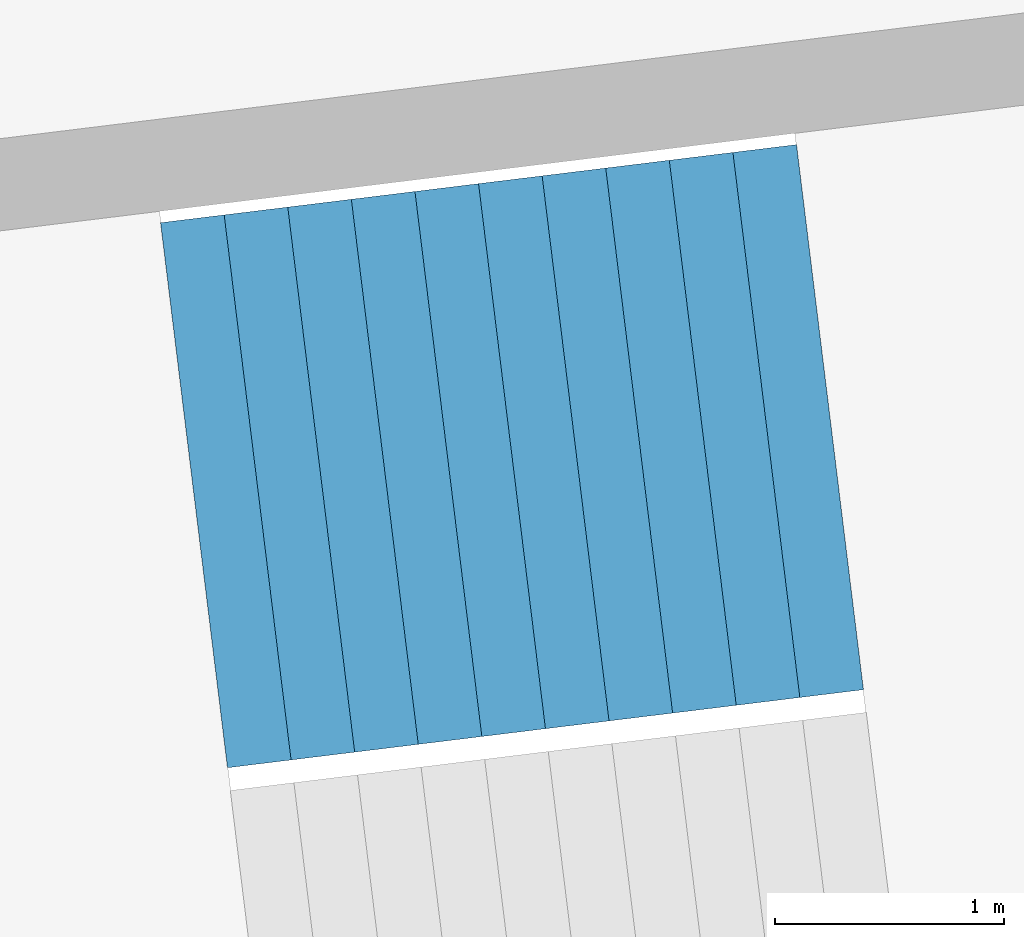
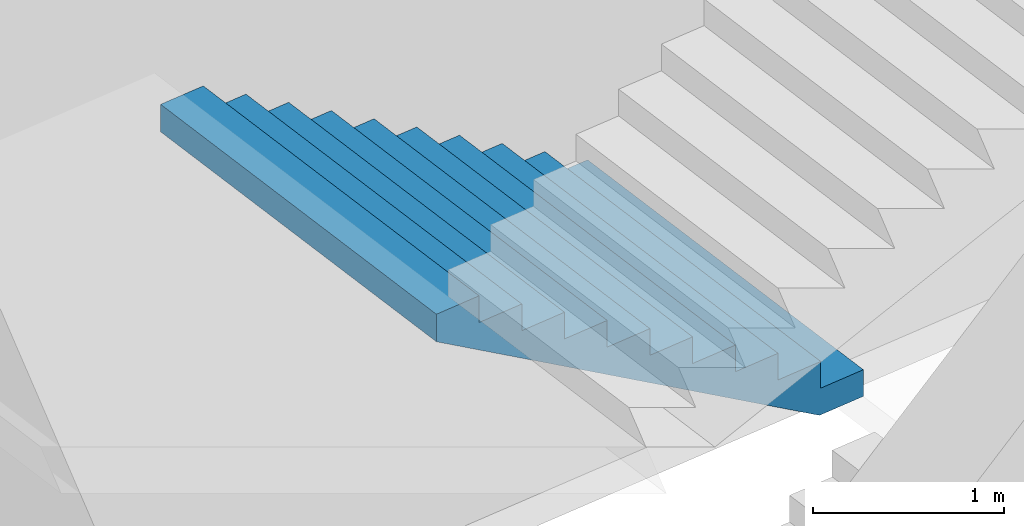
# One storey, part 59 of 73: 1 stair flight, 1 element without a shape of its own.
"""IFC4 building model written with IfcOpenShell, lengths in metres."""

from ifc_helpers import new_model, si_unit, direction, frame, origin, place, context, subcontext, project, spatial, triangles, material, type_object, element, aggregate, save


model = new_model("IFC4")

# Units and contexts
model_context = context("Model", 3, precision=1e-05, world=origin(), true_north=direction((0.0, 1.0)))
body_context = subcontext(model_context, "Body", "Model", "MODEL_VIEW")
ifc_project = project(units=[si_unit("LENGTHUNIT", "METRE"), si_unit("AREAUNIT", "SQUARE_METRE"), si_unit("VOLUMEUNIT", "CUBIC_METRE"), si_unit("PLANEANGLEUNIT", "RADIAN"), si_unit("MASSUNIT", "GRAM", prefix="KILO")], contexts=[model_context])

# Site, building, storey
site_placement = place(None, origin())
site = spatial("IfcSite", under=ifc_project, at=site_placement, CompositionType="ELEMENT")
building_placement = place(site_placement, origin())
building = spatial("IfcBuilding", under=site, at=building_placement, Name="Lantaw Convention Tower", CompositionType="ELEMENT")
storey_placement = place(building_placement, frame((0.0, 0.0, 14.5)))
storey = spatial("IfcBuildingStorey", under=building, at=storey_placement, Name="L02", CompositionType="ELEMENT", Elevation=14.5)

# Stair, stair flight
ifc_material = material(Name="Concrete C35/45", Category="concrete")
stair_type = type_object("IfcStairType", Name="Exit stair 2400 riser 170.45 in 4 flights", PredefinedType="HALF_TURN_STAIR", material=ifc_material)
stair_placement = place(storey_placement, origin())
stair = element("IfcStair", 1, at=stair_placement, inside=storey, type_object=stair_type, Name="Podium exit stair P1 L02", PredefinedType="HALF_TURN_STAIR")
stair_flight_type = type_object("IfcStairFlightType", Name="Stair flight 2400 riser 170.45", PredefinedType="STRAIGHT", material=ifc_material)
stair_flight_placement = place(storey_placement, frame((40.750732421875, 6.262939453125, 1.875), z_axis=(0.0, 0.0, 1.0), x_axis=(-0.992546151641, -0.121869343405, 0.0)))
stair_flight = element("IfcStairFlight", 2, at=stair_flight_placement, type_object=stair_flight_type, Name="P1 flight 2", NumberOfRisers=11, NumberOfTreads=10, PredefinedType="STRAIGHT", RiserHeight=0.170454545, TreadLength=0.28, context=body_context, shape_type="Tessellation", body=[
    triangles([(0.0, 1.199951171875, 0.0), (0.0, 1.199951171875, 0.170454545), (0.28, 1.199951171875, 0.0), (0.28, 1.199951171875, 0.170454545), (0.28, 1.199951171875, 0.34090909), (0.28827876332691904, 1.199951171875, 0.0), (0.28827876332691904, 1.199951171875, 0.34090909), (0.56, 1.199951171875, 0.16541471344266906), (0.56, 1.199951171875, 0.34090909), (0.56, 1.199951171875, 0.511363635), (0.8400000000000001, 1.199951171875, 0.335869258442669), (0.8400000000000001, 1.199951171875, 0.511363635), (0.8400000000000001, 1.199951171875, 0.68181818), (1.12, 1.199951171875, 0.506323803442669), (1.12, 1.199951171875, 0.68181818), (1.12, 1.199951171875, 0.8522727250000001), (1.4000000000000001, 1.199951171875, 0.676778348442669), (1.4000000000000001, 1.199951171875, 0.8522727250000001), (1.4000000000000001, 1.199951171875, 1.02272727), (1.6800000000000002, 1.199951171875, 0.847232893442669), (1.6800000000000002, 1.199951171875, 1.02272727), (1.6800000000000002, 1.199951171875, 1.193181815), (1.9600000000000002, 1.199951171875, 1.017687438442669), (1.9600000000000002, 1.199951171875, 1.193181815), (1.9600000000000002, 1.199951171875, 1.36363636), (2.24, 1.199951171875, 1.188141983442669), (2.24, 1.199951171875, 1.36363636), (2.24, 1.199951171875, 1.5340909050000002), (2.5200000000000005, 1.199951171875, 1.358596528442669), (2.5200000000000005, 1.199951171875, 1.5340909050000002), (2.5200000000000005, 1.199951171875, 1.7045454500000001), (2.8000000000000003, 1.199951171875, 1.529051073442669), (2.8000000000000003, 1.199951171875, 1.7045454500000001), (0.0, -1.199951171875, 0.0), (0.0, -1.199951171875, 0.170454545), (0.28, -1.199951171875, 0.0), (0.28, -1.199951171875, 0.170454545), (0.28, -1.199951171875, 0.34090909), (0.28827876332691904, -1.199951171875, 0.0), (0.28827876332691904, -1.199951171875, 0.34090909), (0.56, -1.199951171875, 0.16541471344266906), (0.56, -1.199951171875, 0.34090909), (0.56, -1.199951171875, 0.511363635), (0.8400000000000001, -1.199951171875, 0.335869258442669), (0.8400000000000001, -1.199951171875, 0.511363635), (0.8400000000000001, -1.199951171875, 0.68181818), (1.12, -1.199951171875, 0.506323803442669), (1.12, -1.199951171875, 0.68181818), (1.12, -1.199951171875, 0.8522727250000001), (1.4000000000000001, -1.199951171875, 0.676778348442669), (1.4000000000000001, -1.199951171875, 0.8522727250000001), (1.4000000000000001, -1.199951171875, 1.02272727), (1.6800000000000002, -1.199951171875, 0.847232893442669), (1.6800000000000002, -1.199951171875, 1.02272727), (1.6800000000000002, -1.199951171875, 1.193181815), (1.9600000000000002, -1.199951171875, 1.017687438442669), (1.9600000000000002, -1.199951171875, 1.193181815), (1.9600000000000002, -1.199951171875, 1.36363636), (2.24, -1.199951171875, 1.188141983442669), (2.24, -1.199951171875, 1.36363636), (2.24, -1.199951171875, 1.5340909050000002), (2.5200000000000005, -1.199951171875, 1.358596528442669), (2.5200000000000005, -1.199951171875, 1.5340909050000002), (2.5200000000000005, -1.199951171875, 1.7045454500000001), (2.8000000000000003, -1.199951171875, 1.529051073442669), (2.8000000000000003, -1.199951171875, 1.7045454500000001), (0.0, 0.239990234375, 0.170454545), (0.0, 0.239990234375, 0.0), (0.0, 0.1199951171875, 0.170454545), (0.0, 0.1199951171875, 0.0), (0.0, 0.0, 0.170454545), (0.0, 0.0, 0.0), (0.0, -0.1199951171875, 0.170454545), (0.0, -0.1199951171875, 0.0), (0.0, -0.239990234375, 0.170454545), (0.0, -0.239990234375, 0.0), (0.28, 0.239990234375, 0.34090909), (0.28, 0.239990234375, 0.170454545), (0.28, 0.1199951171875, 0.34090909), (0.28, 0.1199951171875, 0.170454545), (0.28, 0.0, 0.34090909), (0.28, 0.0, 0.170454545), (0.28, -0.1199951171875, 0.34090909), (0.28, -0.1199951171875, 0.170454545), (0.28, -0.239990234375, 0.34090909), (0.28, -0.239990234375, 0.170454545), (0.56, 0.239990234375, 0.511363635), (0.56, 0.239990234375, 0.34090909), (0.56, 0.1199951171875, 0.511363635), (0.56, 0.1199951171875, 0.34090909), (0.56, 0.0, 0.511363635), (0.56, 0.0, 0.34090909), (0.56, -0.1199951171875, 0.511363635), (0.56, -0.1199951171875, 0.34090909), (0.56, -0.239990234375, 0.511363635), (0.56, -0.239990234375, 0.34090909), (0.8400000000000001, 0.239990234375, 0.68181818), (0.8400000000000001, 0.239990234375, 0.511363635), (0.8400000000000001, 0.1199951171875, 0.68181818), (0.8400000000000001, 0.1199951171875, 0.511363635), (0.8400000000000001, 0.0, 0.68181818), (0.8400000000000001, 0.0, 0.511363635), (0.8400000000000001, -0.1199951171875, 0.68181818), (0.8400000000000001, -0.1199951171875, 0.511363635), (0.8400000000000001, -0.239990234375, 0.68181818), (0.8400000000000001, -0.239990234375, 0.511363635), (1.12, 0.239990234375, 0.8522727250000001), (1.12, 0.239990234375, 0.68181818), (1.12, 0.1199951171875, 0.8522727250000001), (1.12, 0.1199951171875, 0.68181818), (1.12, 0.0, 0.8522727250000001), (1.12, 0.0, 0.68181818), (1.12, -0.1199951171875, 0.8522727250000001), (1.12, -0.1199951171875, 0.68181818), (1.12, -0.239990234375, 0.8522727250000001), (1.12, -0.239990234375, 0.68181818), (1.4000000000000001, 0.239990234375, 1.02272727), (1.4000000000000001, 0.239990234375, 0.8522727250000001), (1.4000000000000001, 0.1199951171875, 1.02272727), (1.4000000000000001, 0.1199951171875, 0.8522727250000001), (1.4000000000000001, 0.0, 1.02272727), (1.4000000000000001, 0.0, 0.8522727250000001), (1.4000000000000001, -0.1199951171875, 1.02272727), (1.4000000000000001, -0.1199951171875, 0.8522727250000001), (1.4000000000000001, -0.239990234375, 1.02272727), (1.4000000000000001, -0.239990234375, 0.8522727250000001), (1.6800000000000002, 0.239990234375, 1.193181815), (1.6800000000000002, 0.239990234375, 1.02272727), (1.6800000000000002, 0.1199951171875, 1.193181815), (1.6800000000000002, 0.1199951171875, 1.02272727), (1.6800000000000002, 0.0, 1.193181815), (1.6800000000000002, 0.0, 1.02272727), (1.6800000000000002, -0.1199951171875, 1.193181815), (1.6800000000000002, -0.1199951171875, 1.02272727), (1.6800000000000002, -0.239990234375, 1.193181815), (1.6800000000000002, -0.239990234375, 1.02272727), (1.9600000000000002, 0.239990234375, 1.36363636), (1.9600000000000002, 0.239990234375, 1.193181815), (1.9600000000000002, 0.1199951171875, 1.36363636), (1.9600000000000002, 0.1199951171875, 1.193181815), (1.9600000000000002, 0.0, 1.36363636), (1.9600000000000002, 0.0, 1.193181815), (1.9600000000000002, -0.1199951171875, 1.36363636), (1.9600000000000002, -0.1199951171875, 1.193181815), (1.9600000000000002, -0.239990234375, 1.36363636), (1.9600000000000002, -0.239990234375, 1.193181815), (2.24, 0.239990234375, 1.5340909050000002), (2.24, 0.239990234375, 1.36363636), (2.24, 0.1199951171875, 1.5340909050000002), (2.24, 0.1199951171875, 1.36363636), (2.24, 0.0, 1.5340909050000002), (2.24, 0.0, 1.36363636), (2.24, -0.1199951171875, 1.5340909050000002), (2.24, -0.1199951171875, 1.36363636), (2.24, -0.239990234375, 1.5340909050000002), (2.24, -0.239990234375, 1.36363636), (2.5200000000000005, 0.239990234375, 1.7045454500000001), (2.5200000000000005, 0.239990234375, 1.5340909050000002), (2.5200000000000005, 0.1199951171875, 1.7045454500000001), (2.5200000000000005, 0.1199951171875, 1.5340909050000002), (2.5200000000000005, 0.0, 1.7045454500000001), (2.5200000000000005, 0.0, 1.5340909050000002), (2.5200000000000005, -0.1199951171875, 1.7045454500000001), (2.5200000000000005, -0.1199951171875, 1.5340909050000002), (2.5200000000000005, -0.239990234375, 1.7045454500000001), (2.5200000000000005, -0.239990234375, 1.5340909050000002), (0.28827876332691904, 0.239990234375, 0.34090909), (0.28827876332691904, 0.1199951171875, 0.34090909), (0.28827876332691904, 0.0, 0.34090909), (0.28827876332691904, -0.1199951171875, 0.34090909), (0.28827876332691904, -0.239990234375, 0.34090909), (2.8000000000000003, 0.239990234375, 1.7045454500000001), (2.8000000000000003, 0.1199951171875, 1.7045454500000001), (2.8000000000000003, 0.0, 1.7045454500000001), (2.8000000000000003, -0.1199951171875, 1.7045454500000001), (2.8000000000000003, -0.239990234375, 1.7045454500000001), (2.8000000000000003, 0.239990234375, 1.5290510734426692), (2.8000000000000003, 0.1199951171875, 1.5290510734426692), (2.8000000000000003, 0.0, 1.5290510734426692), (2.8000000000000003, -0.1199951171875, 1.5290510734426692), (2.8000000000000003, -0.239990234375, 1.5290510734426692), (2.5200000000000005, 0.239990234375, 1.358596528442669), (2.5200000000000005, 0.1199951171875, 1.358596528442669), (2.5200000000000005, 0.0, 1.358596528442669), (2.5200000000000005, -0.1199951171875, 1.358596528442669), (2.5200000000000005, -0.239990234375, 1.358596528442669), (2.24, 0.239990234375, 1.188141983442669), (2.24, 0.1199951171875, 1.188141983442669), (2.24, 0.0, 1.188141983442669), (2.24, -0.1199951171875, 1.188141983442669), (2.24, -0.239990234375, 1.188141983442669), (1.9600000000000002, 0.239990234375, 1.017687438442669), (1.9600000000000002, 0.1199951171875, 1.017687438442669), (1.9600000000000002, 0.0, 1.017687438442669), (1.9600000000000002, -0.1199951171875, 1.017687438442669), (1.9600000000000002, -0.239990234375, 1.017687438442669), (1.6800000000000002, 0.239990234375, 0.847232893442669), (1.6800000000000002, 0.1199951171875, 0.847232893442669), (1.6800000000000002, 0.0, 0.847232893442669), (1.6800000000000002, -0.1199951171875, 0.847232893442669), (1.6800000000000002, -0.239990234375, 0.847232893442669), (1.4000000000000001, 0.239990234375, 0.676778348442669), (1.4000000000000001, 0.1199951171875, 0.676778348442669), (1.4000000000000001, 0.0, 0.676778348442669), (1.4000000000000001, -0.1199951171875, 0.676778348442669), (1.4000000000000001, -0.239990234375, 0.676778348442669), (1.12, 0.239990234375, 0.506323803442669), (1.12, 0.1199951171875, 0.506323803442669), (1.12, 0.0, 0.506323803442669), (1.12, -0.1199951171875, 0.506323803442669), (1.12, -0.239990234375, 0.506323803442669), (0.8400000000000001, 0.239990234375, 0.335869258442669), (0.8400000000000001, 0.1199951171875, 0.335869258442669), (0.8400000000000001, 0.0, 0.335869258442669), (0.8400000000000001, -0.1199951171875, 0.335869258442669), (0.8400000000000001, -0.239990234375, 0.335869258442669), (0.56, 0.239990234375, 0.16541471344266906), (0.56, 0.1199951171875, 0.16541471344266906), (0.56, 0.0, 0.16541471344266906), (0.56, -0.1199951171875, 0.16541471344266906), (0.56, -0.239990234375, 0.16541471344266906), (0.28827876332691904, 0.239990234375, 0.0), (0.28827876332691904, 0.1199951171875, 0.0), (0.28827876332691904, 0.0, 0.0), (0.28827876332691904, -0.1199951171875, 0.0), (0.28827876332691904, -0.239990234375, 0.0), (0.28, 0.239990234375, 0.0), (0.28, 0.1199951171875, 0.0), (0.28, 0.0, 0.0), (0.28, -0.1199951171875, 0.0), (0.28, -0.239990234375, 0.0)], [[1, 4, 3], [1, 2, 4], [3, 4, 6], [4, 7, 6], [4, 5, 7], [6, 9, 8], [6, 7, 9], [8, 9, 11], [9, 12, 11], [9, 10, 12], [11, 12, 14], [12, 15, 14], [12, 13, 15], [14, 15, 17], [15, 18, 17], [15, 16, 18], [17, 18, 20], [18, 21, 20], [18, 19, 21], [20, 21, 23], [21, 24, 23], [21, 22, 24], [23, 24, 26], [24, 27, 26], [24, 25, 27], [26, 27, 29], [27, 30, 29], [27, 28, 30], [29, 30, 32], [30, 33, 32], [30, 31, 33], [34, 36, 37], [34, 37, 35], [36, 39, 37], [37, 39, 40], [37, 40, 38], [39, 41, 42], [39, 42, 40], [41, 44, 42], [42, 44, 45], [42, 45, 43], [44, 47, 45], [45, 47, 48], [45, 48, 46], [47, 50, 48], [48, 50, 51], [48, 51, 49], [50, 53, 51], [51, 53, 54], [51, 54, 52], [53, 56, 54], [54, 56, 57], [54, 57, 55], [56, 59, 57], [57, 59, 60], [57, 60, 58], [59, 62, 60], [60, 62, 63], [60, 63, 61], [62, 65, 63], [63, 65, 66], [63, 66, 64], [1, 67, 2], [1, 68, 67], [68, 69, 67], [68, 70, 69], [70, 71, 69], [70, 72, 71], [72, 73, 71], [72, 74, 73], [74, 75, 73], [74, 76, 75], [76, 35, 75], [76, 34, 35], [4, 77, 5], [4, 78, 77], [78, 79, 77], [78, 80, 79], [80, 81, 79], [80, 82, 81], [82, 83, 81], [82, 84, 83], [84, 85, 83], [84, 86, 85], [86, 38, 85], [86, 37, 38], [9, 87, 10], [9, 88, 87], [88, 89, 87], [88, 90, 89], [90, 91, 89], [90, 92, 91], [92, 93, 91], [92, 94, 93], [94, 95, 93], [94, 96, 95], [96, 43, 95], [96, 42, 43], [12, 97, 13], [12, 98, 97], [98, 99, 97], [98, 100, 99], [100, 101, 99], [100, 102, 101], [102, 103, 101], [102, 104, 103], [104, 105, 103], [104, 106, 105], [106, 46, 105], [106, 45, 46], [15, 107, 16], [15, 108, 107], [108, 109, 107], [108, 110, 109], [110, 111, 109], [110, 112, 111], [112, 113, 111], [112, 114, 113], [114, 115, 113], [114, 116, 115], [116, 49, 115], [116, 48, 49], [18, 117, 19], [18, 118, 117], [118, 119, 117], [118, 120, 119], [120, 121, 119], [120, 122, 121], [122, 123, 121], [122, 124, 123], [124, 125, 123], [124, 126, 125], [126, 52, 125], [126, 51, 52], [21, 127, 22], [21, 128, 127], [128, 129, 127], [128, 130, 129], [130, 131, 129], [130, 132, 131], [132, 133, 131], [132, 134, 133], [134, 135, 133], [134, 136, 135], [136, 55, 135], [136, 54, 55], [24, 137, 25], [24, 138, 137], [138, 139, 137], [138, 140, 139], [140, 141, 139], [140, 142, 141], [142, 143, 141], [142, 144, 143], [144, 145, 143], [144, 146, 145], [146, 58, 145], [146, 57, 58], [27, 147, 28], [27, 148, 147], [148, 149, 147], [148, 150, 149], [150, 151, 149], [150, 152, 151], [152, 153, 151], [152, 154, 153], [154, 155, 153], [154, 156, 155], [156, 61, 155], [156, 60, 61], [30, 157, 31], [30, 158, 157], [158, 159, 157], [158, 160, 159], [160, 161, 159], [160, 162, 161], [162, 163, 161], [162, 164, 163], [164, 165, 163], [164, 166, 165], [166, 64, 165], [166, 63, 64], [2, 78, 4], [2, 67, 78], [67, 80, 78], [67, 69, 80], [69, 82, 80], [69, 71, 82], [71, 84, 82], [71, 73, 84], [73, 86, 84], [73, 75, 86], [75, 37, 86], [75, 35, 37], [5, 167, 7], [5, 77, 167], [77, 168, 167], [77, 79, 168], [79, 169, 168], [79, 81, 169], [81, 170, 169], [81, 83, 170], [83, 171, 170], [83, 85, 171], [85, 40, 171], [85, 38, 40], [7, 88, 9], [7, 167, 88], [167, 90, 88], [167, 168, 90], [168, 92, 90], [168, 169, 92], [169, 94, 92], [169, 170, 94], [170, 96, 94], [170, 171, 96], [171, 42, 96], [171, 40, 42], [10, 98, 12], [10, 87, 98], [87, 100, 98], [87, 89, 100], [89, 102, 100], [89, 91, 102], [91, 104, 102], [91, 93, 104], [93, 106, 104], [93, 95, 106], [95, 45, 106], [95, 43, 45], [13, 108, 15], [13, 97, 108], [97, 110, 108], [97, 99, 110], [99, 112, 110], [99, 101, 112], [101, 114, 112], [101, 103, 114], [103, 116, 114], [103, 105, 116], [105, 48, 116], [105, 46, 48], [16, 118, 18], [16, 107, 118], [107, 120, 118], [107, 109, 120], [109, 122, 120], [109, 111, 122], [111, 124, 122], [111, 113, 124], [113, 126, 124], [113, 115, 126], [115, 51, 126], [115, 49, 51], [19, 128, 21], [19, 117, 128], [117, 130, 128], [117, 119, 130], [119, 132, 130], [119, 121, 132], [121, 134, 132], [121, 123, 134], [123, 136, 134], [123, 125, 136], [125, 54, 136], [125, 52, 54], [22, 138, 24], [22, 127, 138], [127, 140, 138], [127, 129, 140], [129, 142, 140], [129, 131, 142], [131, 144, 142], [131, 133, 144], [133, 146, 144], [133, 135, 146], [135, 57, 146], [135, 55, 57], [25, 148, 27], [25, 137, 148], [137, 150, 148], [137, 139, 150], [139, 152, 150], [139, 141, 152], [141, 154, 152], [141, 143, 154], [143, 156, 154], [143, 145, 156], [145, 60, 156], [145, 58, 60], [28, 158, 30], [28, 147, 158], [147, 160, 158], [147, 149, 160], [149, 162, 160], [149, 151, 162], [151, 164, 162], [151, 153, 164], [153, 166, 164], [153, 155, 166], [155, 63, 166], [155, 61, 63], [31, 172, 33], [31, 157, 172], [157, 173, 172], [157, 159, 173], [159, 174, 173], [159, 161, 174], [161, 175, 174], [161, 163, 175], [163, 176, 175], [163, 165, 176], [165, 66, 176], [165, 64, 66], [33, 177, 32], [33, 172, 177], [172, 178, 177], [172, 173, 178], [173, 179, 178], [173, 174, 179], [174, 180, 179], [174, 175, 180], [175, 181, 180], [175, 176, 181], [176, 65, 181], [176, 66, 65], [32, 182, 29], [32, 177, 182], [177, 183, 182], [177, 178, 183], [178, 184, 183], [178, 179, 184], [179, 185, 184], [179, 180, 185], [180, 186, 185], [180, 181, 186], [181, 62, 186], [181, 65, 62], [29, 187, 26], [29, 182, 187], [182, 188, 187], [182, 183, 188], [183, 189, 188], [183, 184, 189], [184, 190, 189], [184, 185, 190], [185, 191, 190], [185, 186, 191], [186, 59, 191], [186, 62, 59], [26, 192, 23], [26, 187, 192], [187, 193, 192], [187, 188, 193], [188, 194, 193], [188, 189, 194], [189, 195, 194], [189, 190, 195], [190, 196, 195], [190, 191, 196], [191, 56, 196], [191, 59, 56], [23, 197, 20], [23, 192, 197], [192, 198, 197], [192, 193, 198], [193, 199, 198], [193, 194, 199], [194, 200, 199], [194, 195, 200], [195, 201, 200], [195, 196, 201], [196, 53, 201], [196, 56, 53], [20, 202, 17], [20, 197, 202], [197, 203, 202], [197, 198, 203], [198, 204, 203], [198, 199, 204], [199, 205, 204], [199, 200, 205], [200, 206, 205], [200, 201, 206], [201, 50, 206], [201, 53, 50], [17, 207, 14], [17, 202, 207], [202, 208, 207], [202, 203, 208], [203, 209, 208], [203, 204, 209], [204, 210, 209], [204, 205, 210], [205, 211, 210], [205, 206, 211], [206, 47, 211], [206, 50, 47], [14, 212, 11], [14, 207, 212], [207, 213, 212], [207, 208, 213], [208, 214, 213], [208, 209, 214], [209, 215, 214], [209, 210, 215], [210, 216, 215], [210, 211, 216], [211, 44, 216], [211, 47, 44], [11, 217, 8], [11, 212, 217], [212, 218, 217], [212, 213, 218], [213, 219, 218], [213, 214, 219], [214, 220, 219], [214, 215, 220], [215, 221, 220], [215, 216, 221], [216, 41, 221], [216, 44, 41], [8, 222, 6], [8, 217, 222], [217, 223, 222], [217, 218, 223], [218, 224, 223], [218, 219, 224], [219, 225, 224], [219, 220, 225], [220, 226, 225], [220, 221, 226], [221, 39, 226], [221, 41, 39], [6, 227, 3], [6, 222, 227], [222, 228, 227], [222, 223, 228], [223, 229, 228], [223, 224, 229], [224, 230, 229], [224, 225, 230], [225, 231, 230], [225, 226, 231], [226, 36, 231], [226, 39, 36], [3, 68, 1], [3, 227, 68], [227, 70, 68], [227, 228, 70], [228, 72, 70], [228, 229, 72], [229, 74, 72], [229, 230, 74], [230, 76, 74], [230, 231, 76], [231, 34, 76], [231, 36, 34]], closed=True),
])
aggregate(stair, [stair_flight])

save(model, "model.ifc")
